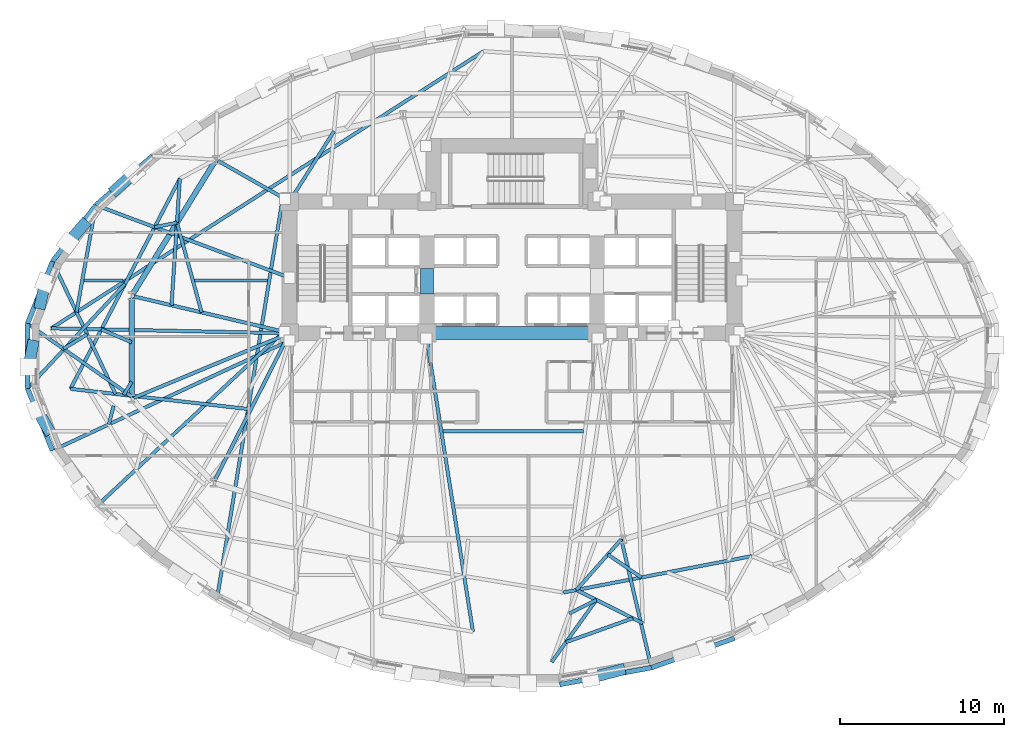
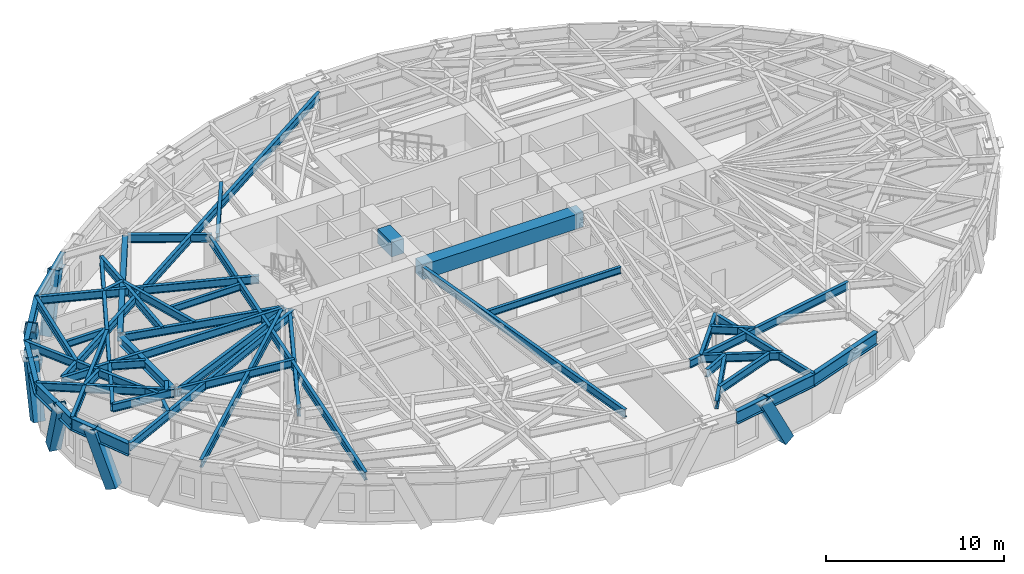
# One storey, part 2 of 14: 47 beams, 6 members.
"""IFC4 building model written with IfcOpenShell, lengths in metres."""

from ifc_helpers import new_model, si_unit, direction, frame, origin, origin_2d, place, context, subcontext, project, spatial, rectangle, hollow_rectangle, i_section, extrude, material, material_profile, profile_set, type_object, element, save


model = new_model("IFC4")

# Units and contexts
model_context = context("Model", 3, precision=1e-05, world=origin(), true_north=direction((0.0, 1.0)))
body_context = subcontext(model_context, "Body", "Model", "MODEL_VIEW")
ifc_project = project(units=[si_unit("LENGTHUNIT", "METRE"), si_unit("AREAUNIT", "SQUARE_METRE"), si_unit("VOLUMEUNIT", "CUBIC_METRE"), si_unit("PLANEANGLEUNIT", "RADIAN"), si_unit("MASSUNIT", "GRAM", prefix="KILO")], contexts=[model_context])

# Site, building, storey
site_placement = place(None, origin())
site = spatial("IfcSite", under=ifc_project, at=site_placement, CompositionType="ELEMENT")
building_placement = place(site_placement, origin())
building = spatial("IfcBuilding", under=site, at=building_placement, Name="Keldmark Tower", CompositionType="ELEMENT")
storey_placement = place(building_placement, frame((0.0, 0.0, 63.0)))
storey = spatial("IfcBuildingStorey", under=building, at=storey_placement, Name="L16", CompositionType="ELEMENT", Elevation=63.0)

# Beams
ifc_material_1 = material(Name="Steel ASTM A992 Grade 50", Category="steel")
ifc_material_profile_1 = material_profile(ifc_material_1, i_section(OverallWidth=0.19091796875, OverallDepth=0.45703125, WebThickness=0.009033203125, FlangeThickness=0.014404296875, at=origin_2d()), Name="W18X50")
ifc_profile_set_1 = profile_set([ifc_material_profile_1], Name="Steel ASTM A992 Grade 50")
beam_type_1 = type_object("IfcBeamType", Name="Composite Floor Joist W18X50", PredefinedType="JOIST", material=ifc_profile_set_1)
beam_1_placement = place(storey_placement, frame((-4.2255859375, -4.60009765625, 3.17138671875), z_axis=(1.0, 0.0, 0.0), x_axis=(0.0, 1.0, 0.0)))
element("IfcBeam", 1, at=beam_1_placement, inside=storey, type_object=beam_type_1, Name="L16 Composite Floor Joist J08", PredefinedType="JOIST", context=body_context, shape_type="SweptSolid", body=[
    extrude(i_section(OverallWidth=0.19091796875, OverallDepth=0.45703125, WebThickness=0.009033203125, FlangeThickness=0.014404296875, at=origin_2d()), origin(), (0.0, 0.0, 1.0), 8.592041015625),
])
beam_2_placement = place(storey_placement, frame((-26.176513671875, 4.6201171875, 3.17138671875), z_axis=(1.0, 0.0, 0.0), x_axis=(0.0, 1.0, 0.0)))
element("IfcBeam", 2, at=beam_2_placement, inside=storey, type_object=beam_type_1, Name="L16 Composite Floor Joist J12", PredefinedType="JOIST", context=body_context, shape_type="SweptSolid", body=[
    extrude(i_section(OverallWidth=0.19091796875, OverallDepth=0.45703125, WebThickness=0.009033203125, FlangeThickness=0.014404296875, at=origin_2d()), origin(), (0.0, 0.0, 1.0), 2.391845703125),
])
beam_3_placement = place(storey_placement, frame((-19.4130859375, 4.6201171875, 3.17138671875), z_axis=(1.0, 0.0, 0.0), x_axis=(0.0, 1.0, 0.0)))
element("IfcBeam", 3, at=beam_3_placement, inside=storey, type_object=beam_type_1, Name="L16 Composite Floor Joist J13", PredefinedType="JOIST", context=body_context, shape_type="SweptSolid", body=[
    extrude(i_section(OverallWidth=0.19091796875, OverallDepth=0.45703125, WebThickness=0.009033203125, FlangeThickness=0.014404296875, at=origin_2d()), origin(), (0.0, 0.0, 1.0), 4.472900390625),
])
ifc_material_2 = material(Name="Concrete C70/85", Category="concrete")
ifc_material_profile_2 = material_profile(ifc_material_2, rectangle(XDim=0.800048828125, YDim=1.0, at=origin_2d()), Name="RCB800X1000")
ifc_profile_set_2 = profile_set([ifc_material_profile_2], Name="Concrete C70/85")
beam_type_2 = type_object("IfcBeamType", Name="Core Coupling Beam RCB800X1000", PredefinedType="USERDEFINED", material=ifc_profile_set_2)
beam_4_placement = place(storey_placement, frame((-5.199951171875, 3.800048828125, 2.89990234375), z_axis=(0.0, 1.0, 0.0), x_axis=(-1.0, 0.0, 0.0)))
element("IfcBeam", 4, at=beam_4_placement, inside=storey, type_object=beam_type_2, Name="L16 West Core Coupling Beam", ObjectType="COUPLING BEAM", PredefinedType="USERDEFINED", context=body_context, shape_type="SweptSolid", body=[
    extrude(rectangle(XDim=0.800048828125, YDim=1.0, at=origin_2d()), origin(), (0.0, 0.0, 1.0), 1.550048828125),
])
beam_5_placement = place(storey_placement, frame((-5.199951171875, 1.39990234375, 2.89990234375), z_axis=(1.0, 0.0, 0.0), x_axis=(0.0, 1.0, 0.0)))
element("IfcBeam", 5, at=beam_5_placement, inside=storey, type_object=beam_type_2, Name="L16 Central South Core Coupling Beam", ObjectType="COUPLING BEAM", PredefinedType="USERDEFINED", context=body_context, shape_type="SweptSolid", body=[
    extrude(rectangle(XDim=0.800048828125, YDim=1.0, at=origin_2d()), origin(), (0.0, 0.0, 1.0), 10.39990234375),
])

# Members
ifc_material_3 = material(Name="Steel ASTM A572 Grade 50", Category="steel")
ifc_material_profile_3 = material_profile(ifc_material_3, hollow_rectangle(XDim=0.699951171875, YDim=0.699951171875, WallThickness=0.054931640625, at=origin_2d()), Name="BOX700X700X55")
ifc_profile_set_3 = profile_set([ifc_material_profile_3], Name="Steel ASTM A572 Grade 50")
member_type = type_object("IfcMemberType", Name="Diagrid Zone 1 Brace BOX700X700X55", PredefinedType="BRACE", material=ifc_profile_set_3)
member_1_placement = place(storey_placement, frame((-24.220947265625, 10.180419921875, -0.280029296875), z_axis=(0.290671768212, 0.262084206119, 0.920229206267), x_axis=(-0.66964149585, 0.742684500334, 0.0)))
element("IfcMember", 6, at=member_1_placement, inside=storey, type_object=member_type, Name="L16 Perimeter Diagrid Brace 07A", PredefinedType="BRACE", context=body_context, shape_type="SweptSolid", body=[
    extrude(hollow_rectangle(XDim=0.699951171875, YDim=0.699951171875, WallThickness=0.054931640625, at=origin_2d()), origin(), (0.0, 0.0, 1.0), 3.86865234375),
])
member_2_placement = place(storey_placement, frame((-26.187255859375, 8.02197265625, -0.280029296875), z_axis=(-0.252370658854, -0.291162838863, 0.922785593632), x_axis=(0.755651148776, -0.654974305873, 0.0)))
element("IfcMember", 7, at=member_2_placement, inside=storey, type_object=member_type, Name="L16 Perimeter Diagrid Brace 07B", PredefinedType="BRACE", context=body_context, shape_type="SweptSolid", body=[
    extrude(hollow_rectangle(XDim=0.699951171875, YDim=0.699951171875, WallThickness=0.054931640625, at=origin_2d()), origin(), (0.0, 0.0, 1.0), 3.85791015625),
])
member_3_placement = place(storey_placement, frame((-28.828125, 3.204833984375, -0.280029296875), z_axis=(0.073622103761, 0.339819055353, 0.937604818384), x_axis=(-0.977326329116, 0.211738627595, 0.0)))
element("IfcMember", 8, at=member_3_placement, inside=storey, type_object=member_type, Name="L16 Perimeter Diagrid Brace 08A", PredefinedType="BRACE", context=body_context, shape_type="SweptSolid", body=[
    extrude(hollow_rectangle(XDim=0.699951171875, YDim=0.699951171875, WallThickness=0.054931640625, at=origin_2d()), origin(), (0.0, 0.0, 1.0), 3.796875),
])
member_4_placement = place(storey_placement, frame((-29.301513671875, 0.647705078125, -0.280029296875), z_axis=(-0.068299252719, -0.34521934316, 0.936033555588), x_axis=(0.980985473206, -0.194081172088, 0.0)))
element("IfcMember", 9, at=member_4_placement, inside=storey, type_object=member_type, Name="L16 Perimeter Diagrid Brace 08B", PredefinedType="BRACE", context=body_context, shape_type="SweptSolid", body=[
    extrude(hollow_rectangle(XDim=0.699951171875, YDim=0.699951171875, WallThickness=0.054931640625, at=origin_2d()), origin(), (0.0, 0.0, 1.0), 3.803466796875),
])
member_5_placement = place(storey_placement, frame((-28.35009765625, -4.477783203125, -0.280029296875), z_axis=(-0.183501440883, 0.322942161055, 0.928458713033), x_axis=(-0.869443170101, -0.4940329685, 0.0)))
element("IfcMember", 10, at=member_5_placement, inside=storey, type_object=member_type, Name="L16 Perimeter Diagrid Brace 09A", PredefinedType="BRACE", context=body_context, shape_type="SweptSolid", body=[
    extrude(hollow_rectangle(XDim=0.699951171875, YDim=0.699951171875, WallThickness=0.054931640625, at=origin_2d()), origin(), (0.0, 0.0, 1.0), 3.83447265625),
])
member_6_placement = place(storey_placement, frame((6.607177734375, -19.20263671875, -0.280029296875), z_axis=(-0.453333942407, -0.118679833379, 0.883404456526), x_axis=(0.253258573014, -0.967398622696, 0.0)))
element("IfcMember", 11, at=member_6_placement, inside=storey, type_object=member_type, Name="L16 Perimeter Diagrid Brace 13A", PredefinedType="BRACE", context=body_context, shape_type="SweptSolid", body=[
    extrude(hollow_rectangle(XDim=0.699951171875, YDim=0.699951171875, WallThickness=0.054931640625, at=origin_2d()), origin(), (0.0, 0.0, 1.0), 4.030029296875),
])

# Beams
ifc_material_4 = material(Name="Steel ASTM A992 Grade 50", Category="steel")
ifc_material_profile_4 = material_profile(ifc_material_4, i_section(OverallWidth=0.323974609375, OverallDepth=0.611083984375, WebThickness=0.0126953125, FlangeThickness=0.01904296875, at=origin_2d()), Name="W24X104")
ifc_profile_set_4 = profile_set([ifc_material_profile_4], Name="Steel ASTM A992 Grade 50")
beam_type_3 = type_object("IfcBeamType", Name="Primary Floor Girder W24X104", PredefinedType="BEAM", material=ifc_profile_set_4)
beam_6_placement = place(storey_placement, frame((-18.17138671875, 11.888427734375, 3.094482421875), z_axis=(-0.526318405849, -0.850287560573, 0.0), x_axis=(0.850287560573, -0.526318405849, 0.0)))
element("IfcBeam", 12, at=beam_6_placement, inside=storey, type_object=beam_type_3, Name="L16 Floor Ring Girder FG-R05", PredefinedType="BEAM", context=body_context, shape_type="SweptSolid", body=[
    extrude(i_section(OverallWidth=0.323974609375, OverallDepth=0.611083984375, WebThickness=0.0126953125, FlangeThickness=0.01904296875, at=origin_2d()), origin(), (0.0, 0.0, 1.0), 9.51708984375),
])
beam_7_placement = place(storey_placement, frame((-23.25390625, 3.537109375, 3.094482421875), z_axis=(0.0, -1.0, 0.0), x_axis=(1.0, 0.0, 0.0)))
element("IfcBeam", 13, at=beam_7_placement, inside=storey, type_object=beam_type_3, Name="L16 Floor Ring Girder FG-R06", PredefinedType="BEAM", context=body_context, shape_type="SweptSolid", body=[
    extrude(i_section(OverallWidth=0.323974609375, OverallDepth=0.611083984375, WebThickness=0.0126953125, FlangeThickness=0.01904296875, at=origin_2d()), origin(), (0.0, 0.0, 1.0), 6.01025390625),
])
ifc_material_5 = material(Name="Steel ASTM A992 Grade 50", Category="steel")
ifc_material_profile_5 = material_profile(ifc_material_5, i_section(OverallWidth=0.2099609375, OverallDepth=0.537109375, WebThickness=0.010986328125, FlangeThickness=0.017333984375, at=origin_2d()), Name="W21X68")
ifc_profile_set_5 = profile_set([ifc_material_profile_5], Name="Steel ASTM A992 Grade 50")
beam_type_4 = type_object("IfcBeamType", Name="Radial Tie Girder W21X68", PredefinedType="BEAM", material=ifc_profile_set_5)
beam_8_placement = place(storey_placement, frame((-13.60009765625, 9.449951171875, 3.131591796875), z_axis=(0.534975531719, 0.844867552023, 0.0), x_axis=(-0.844867552023, 0.534975531719, 0.0)))
element("IfcBeam", 14, at=beam_8_placement, inside=storey, type_object=beam_type_4, Name="L16 Framing Pin Header PH-003", PredefinedType="BEAM", context=body_context, shape_type="SweptSolid", body=[
    extrude(i_section(OverallWidth=0.2099609375, OverallDepth=0.537109375, WebThickness=0.010986328125, FlangeThickness=0.017333984375, at=origin_2d()), origin(), (0.0, 0.0, 1.0), 5.083740234375),
])
beam_9_placement = place(storey_placement, frame((-18.974853515625, 2.66796875, 3.131591796875), z_axis=(-0.26563044238, 0.964074928665, 0.0), x_axis=(-0.964074928665, -0.26563044238, 0.0)))
element("IfcBeam", 15, at=beam_9_placement, inside=storey, type_object=beam_type_4, Name="L16 Framing Pin Header PH-004", PredefinedType="BEAM", context=body_context, shape_type="SweptSolid", body=[
    extrude(i_section(OverallWidth=0.2099609375, OverallDepth=0.537109375, WebThickness=0.010986328125, FlangeThickness=0.017333984375, at=origin_2d()), origin(), (0.0, 0.0, 1.0), 5.6865234375),
])
beam_10_placement = place(storey_placement, frame((-20.816162109375, 3.102294921875, 3.131591796875), z_axis=(0.065409607272, 0.997858498624, 0.0), x_axis=(-0.997858498624, 0.065409607272, 0.0)))
element("IfcBeam", 16, at=beam_10_placement, inside=storey, type_object=beam_type_4, Name="L16 Sub-Ring Step Girder STP1-M06", PredefinedType="BEAM", context=body_context, shape_type="SweptSolid", body=[
    extrude(i_section(OverallWidth=0.2099609375, OverallDepth=0.537109375, WebThickness=0.010986328125, FlangeThickness=0.017333984375, at=origin_2d()), origin(), (0.0, 0.0, 1.0), 7.756103515625),
])
beam_11_placement = place(storey_placement, frame((-23.25390625, -1.571533203125, 3.131591796875), z_axis=(-0.517202773084, -0.855862892941, 0.0), x_axis=(0.855862892941, -0.517202773084, 0.0)))
element("IfcBeam", 17, at=beam_11_placement, inside=storey, type_object=beam_type_4, Name="L16 Framing Pin Header PH-005", PredefinedType="BEAM", context=body_context, shape_type="SweptSolid", body=[
    extrude(i_section(OverallWidth=0.2099609375, OverallDepth=0.537109375, WebThickness=0.010986328125, FlangeThickness=0.017333984375, at=origin_2d()), origin(), (0.0, 0.0, 1.0), 0.940673828125),
])
beam_12_placement = place(storey_placement, frame((-15.96728515625, -3.258056640625, 3.131591796875), z_axis=(-0.99363203198, 0.112673799191, 0.0), x_axis=(-0.112673799191, -0.99363203198, 0.0)))
element("IfcBeam", 18, at=beam_12_placement, inside=storey, type_object=beam_type_4, Name="L16 Sub-Ring Step Girder STP1-M07", PredefinedType="BEAM", context=body_context, shape_type="SweptSolid", body=[
    extrude(i_section(OverallWidth=0.2099609375, OverallDepth=0.537109375, WebThickness=0.010986328125, FlangeThickness=0.017333984375, at=origin_2d()), origin(), (0.0, 0.0, 1.0), 11.1005859375),
])
beam_13_placement = place(storey_placement, frame((-20.308837890625, 10.841796875, 3.131591796875), z_axis=(-0.46171620585, -0.887027702643, 0.0), x_axis=(0.887027702643, -0.46171620585, 0.0)))
element("IfcBeam", 19, at=beam_13_placement, inside=storey, type_object=beam_type_4, Name="L16 Perimeter Collector Ring Beam CRG1-M06", PredefinedType="BEAM", context=body_context, shape_type="SweptSolid", body=[
    extrude(i_section(OverallWidth=0.2099609375, OverallDepth=0.537109375, WebThickness=0.010986328125, FlangeThickness=0.017333984375, at=origin_2d()), origin(), (0.0, 0.0, 1.0), 14.485595703125),
])
beam_14_placement = place(storey_placement, frame((-23.25390625, 0.83251953125, 3.131591796875), z_axis=(-0.918749652324, 0.394840570805, 0.0), x_axis=(-0.394840570805, -0.918749652324, 0.0)))
element("IfcBeam", 20, at=beam_14_placement, inside=storey, type_object=beam_type_4, Name="L16 Framing Pin Header PH-010", PredefinedType="BEAM", context=body_context, shape_type="SweptSolid", body=[
    extrude(i_section(OverallWidth=0.2099609375, OverallDepth=0.537109375, WebThickness=0.010986328125, FlangeThickness=0.017333984375, at=origin_2d()), origin(), (0.0, 0.0, 1.0), 2.014404296875),
])
beam_15_placement = place(storey_placement, frame((-14.050048828125, 1.39990234375, 3.131591796875), z_axis=(-0.999787347353, 0.020621834841, 0.0), x_axis=(-0.020621834841, -0.999787347353, 0.0)))
element("IfcBeam", 21, at=beam_15_placement, inside=storey, type_object=beam_type_4, Name="L16 Sub-Ring Step Girder STP2-M07", PredefinedType="BEAM", context=body_context, shape_type="SweptSolid", body=[
    extrude(i_section(OverallWidth=0.2099609375, OverallDepth=0.537109375, WebThickness=0.010986328125, FlangeThickness=0.017333984375, at=origin_2d()), origin(), (0.0, 0.0, 1.0), 14.123779296875),
])
beam_16_placement = place(storey_placement, frame((-1.742431640625, 18.634521484375, 3.131591796875), z_axis=(-0.841849693746, -0.539712046503, 0.0), x_axis=(0.539712046503, -0.841849693746, 0.0)))
element("IfcBeam", 22, at=beam_16_placement, inside=storey, type_object=beam_type_4, Name="L16 Perimeter Collector Ring Beam CRG2-M04", PredefinedType="BEAM", context=body_context, shape_type="SweptSolid", body=[
    extrude(i_section(OverallWidth=0.2099609375, OverallDepth=0.537109375, WebThickness=0.010986328125, FlangeThickness=0.017333984375, at=origin_2d()), origin(), (0.0, 0.0, 1.0), 31.393310546875),
])
beam_17_placement = place(storey_placement, frame((3.1552734375, -14.455810546875, 3.131591796875), z_axis=(0.981863989853, 0.189586669968, 0.0), x_axis=(-0.189586669968, 0.981863989853, 0.0)))
element("IfcBeam", 23, at=beam_17_placement, inside=storey, type_object=beam_type_4, Name="L16 Perimeter Collector Ring Beam CRG2-M10", PredefinedType="BEAM", context=body_context, shape_type="SweptSolid", body=[
    extrude(i_section(OverallWidth=0.2099609375, OverallDepth=0.537109375, WebThickness=0.010986328125, FlangeThickness=0.017333984375, at=origin_2d()), origin(), (0.0, 0.0, 1.0), 11.72119140625),
])
beam_18_placement = place(storey_placement, frame((-20.4853515625, 8.150146484375, 3.131591796875), z_axis=(-0.980540240776, -0.196318201448, 0.0), x_axis=(0.196318201448, -0.980540240776, 0.0)))
element("IfcBeam", 24, at=beam_18_placement, inside=storey, type_object=beam_type_4, Name="L16 Framing Pin Header PH-024", PredefinedType="BEAM", context=body_context, shape_type="SweptSolid", body=[
    extrude(i_section(OverallWidth=0.2099609375, OverallDepth=0.537109375, WebThickness=0.010986328125, FlangeThickness=0.017333984375, at=origin_2d()), origin(), (0.0, 0.0, 1.0), 1.39404296875),
])
beam_19_placement = place(storey_placement, frame((-13.60009765625, 4.78564453125, 3.131591796875), z_axis=(-0.93647347547, 0.350738406425, 0.0), x_axis=(-0.350738406425, -0.93647347547, 0.0)))
element("IfcBeam", 25, at=beam_19_placement, inside=storey, type_object=beam_type_4, Name="L16 Perimeter Radial Tie Girder RT-14", PredefinedType="BEAM", context=body_context, shape_type="SweptSolid", body=[
    extrude(i_section(OverallWidth=0.2099609375, OverallDepth=0.537109375, WebThickness=0.010986328125, FlangeThickness=0.017333984375, at=origin_2d()), origin(), (0.0, 0.0, 1.0), 12.647705078125),
])
beam_20_placement = place(storey_placement, frame((-25.4443359375, 9.2216796875, 3.131591796875), z_axis=(-0.177488281787, -0.984122913984, 0.0), x_axis=(0.984122913984, -0.177488281787, 0.0)))
element("IfcBeam", 26, at=beam_20_placement, inside=storey, type_object=beam_type_4, Name="L16 Framing Pin Header PH-025", PredefinedType="BEAM", context=body_context, shape_type="SweptSolid", body=[
    extrude(i_section(OverallWidth=0.2099609375, OverallDepth=0.537109375, WebThickness=0.010986328125, FlangeThickness=0.017333984375, at=origin_2d()), origin(), (0.0, 0.0, 1.0), 6.643798828125),
])
beam_21_placement = place(storey_placement, frame((-24.239501953125, -2.320068359375, 3.131591796875), z_axis=(-0.430131091897, 0.902766439221, 0.0), x_axis=(-0.902766439221, -0.430131091897, 0.0)))
element("IfcBeam", 27, at=beam_21_placement, inside=storey, type_object=beam_type_4, Name="L16 Perimeter Radial Tie Girder RT-15", PredefinedType="BEAM", context=body_context, shape_type="SweptSolid", body=[
    extrude(i_section(OverallWidth=0.2099609375, OverallDepth=0.537109375, WebThickness=0.010986328125, FlangeThickness=0.017333984375, at=origin_2d()), origin(), (0.0, 0.0, 1.0), 8.971923828125),
])
beam_22_placement = place(storey_placement, frame((-25.976318359375, 1.32470703125, 3.131591796875), z_axis=(-0.852375309778, -0.522930522423, 0.0), x_axis=(0.522930522423, -0.852375309778, 0.0)))
element("IfcBeam", 28, at=beam_22_placement, inside=storey, type_object=beam_type_4, Name="L16 Framing Pin Header PH-026", PredefinedType="BEAM", context=body_context, shape_type="SweptSolid", body=[
    extrude(i_section(OverallWidth=0.2099609375, OverallDepth=0.537109375, WebThickness=0.010986328125, FlangeThickness=0.017333984375, at=origin_2d()), origin(), (0.0, 0.0, 1.0), 1.693359375),
])
beam_23_placement = place(storey_placement, frame((-23.25390625, -2.47314453125, 3.131591796875), z_axis=(-0.819561021261, 0.572991913058, 0.0), x_axis=(-0.572991913058, -0.819561021261, 0.0)))
element("IfcBeam", 29, at=beam_23_placement, inside=storey, type_object=beam_type_4, Name="L16 Perimeter Radial Tie Girder RT-16", PredefinedType="BEAM", context=body_context, shape_type="SweptSolid", body=[
    extrude(i_section(OverallWidth=0.2099609375, OverallDepth=0.537109375, WebThickness=0.010986328125, FlangeThickness=0.017333984375, at=origin_2d()), origin(), (0.0, 0.0, 1.0), 7.768798828125),
])
beam_24_placement = place(storey_placement, frame((-23.653076171875, 4.417236328125, 3.131591796875), z_axis=(-0.682234714462, -0.731133226152, 0.0), x_axis=(0.731133226152, -0.682234714462, 0.0)))
element("IfcBeam", 30, at=beam_24_placement, inside=storey, type_object=beam_type_4, Name="L16 Perimeter Radial Tie Girder RT-17", PredefinedType="BEAM", context=body_context, shape_type="SweptSolid", body=[
    extrude(i_section(OverallWidth=0.2099609375, OverallDepth=0.537109375, WebThickness=0.010986328125, FlangeThickness=0.017333984375, at=origin_2d()), origin(), (0.0, 0.0, 1.0), 8.747314453125),
])
beam_25_placement = place(storey_placement, frame((-24.356689453125, -3.047607421875, 3.131591796875), z_axis=(-0.250055066641, -0.968231616736, 0.0), x_axis=(0.968231616736, -0.250055066641, 0.0)))
element("IfcBeam", 31, at=beam_25_placement, inside=storey, type_object=beam_type_4, Name="L16 Framing Pin Header PH-027", PredefinedType="BEAM", context=body_context, shape_type="SweptSolid", body=[
    extrude(i_section(OverallWidth=0.2099609375, OverallDepth=0.537109375, WebThickness=0.010986328125, FlangeThickness=0.017333984375, at=origin_2d()), origin(), (0.0, 0.0, 1.0), 1.167724609375),
])
beam_26_placement = place(storey_placement, frame((-13.60009765625, 0.949951171875, 3.131591796875), z_axis=(-0.907056049937, -0.421009883819, 0.0), x_axis=(0.421009883819, -0.907056049937, 0.0)))
element("IfcBeam", 32, at=beam_26_placement, inside=storey, type_object=beam_type_4, Name="L16 Perimeter Radial Tie Girder RT-18", PredefinedType="BEAM", context=body_context, shape_type="SweptSolid", body=[
    extrude(i_section(OverallWidth=0.2099609375, OverallDepth=0.537109375, WebThickness=0.010986328125, FlangeThickness=0.017333984375, at=origin_2d()), origin(), (0.0, 0.0, 1.0), 15.984130859375),
])
beam_27_placement = place(storey_placement, frame((-14.050048828125, 1.39990234375, 3.131591796875), z_axis=(-0.731474168829, -0.681869151916, 0.0), x_axis=(0.681869151916, -0.731474168829, 0.0)))
element("IfcBeam", 33, at=beam_27_placement, inside=storey, type_object=beam_type_4, Name="L16 Perimeter Radial Tie Girder RT-19", PredefinedType="BEAM", context=body_context, shape_type="SweptSolid", body=[
    extrude(i_section(OverallWidth=0.2099609375, OverallDepth=0.537109375, WebThickness=0.010986328125, FlangeThickness=0.017333984375, at=origin_2d()), origin(), (0.0, 0.0, 1.0), 15.5771484375),
])
beam_28_placement = place(storey_placement, frame((-14.050048828125, 9.449951171875, 3.131591796875), z_axis=(-0.161956107975, -0.98679796265, 0.0), x_axis=(0.98679796265, -0.161956107975, 0.0)))
element("IfcBeam", 34, at=beam_28_placement, inside=storey, type_object=beam_type_4, Name="L16 Perimeter Radial Tie Girder RT-21", PredefinedType="BEAM", context=body_context, shape_type="SweptSolid", body=[
    extrude(i_section(OverallWidth=0.2099609375, OverallDepth=0.537109375, WebThickness=0.010986328125, FlangeThickness=0.017333984375, at=origin_2d()), origin(), (0.0, 0.0, 1.0), 24.6875),
])
beam_29_placement = place(storey_placement, frame((-5.199951171875, 0.949951171875, 3.131591796875), z_axis=(0.156083570724, -0.987743852904, 0.0), x_axis=(0.987743852904, 0.156083570724, 0.0)))
element("IfcBeam", 35, at=beam_29_placement, inside=storey, type_object=beam_type_4, Name="L16 Intermediate Radial Step Girder RT-24M", PredefinedType="BEAM", context=body_context, shape_type="SweptSolid", body=[
    extrude(i_section(OverallWidth=0.2099609375, OverallDepth=0.537109375, WebThickness=0.010986328125, FlangeThickness=0.017333984375, at=origin_2d()), origin(), (0.0, 0.0, 1.0), 18.028564453125),
])
beam_30_placement = place(storey_placement, frame((6.68212890625, -11.205810546875, 3.131591796875), z_axis=(-0.662515294374, -0.749048386101, 0.0), x_axis=(0.749048386101, -0.662515294374, 0.0)))
element("IfcBeam", 36, at=beam_30_placement, inside=storey, type_object=beam_type_4, Name="L16 Framing Pin Header PH-034", PredefinedType="BEAM", context=body_context, shape_type="SweptSolid", body=[
    extrude(i_section(OverallWidth=0.2099609375, OverallDepth=0.537109375, WebThickness=0.010986328125, FlangeThickness=0.017333984375, at=origin_2d()), origin(), (0.0, 0.0, 1.0), 4.135986328125),
])
beam_31_placement = place(storey_placement, frame((5.860107421875, -12.13525390625, 3.131591796875), z_axis=(0.824650162023, -0.565643094429, 0.0), x_axis=(0.565643094429, 0.824650162023, 0.0)))
element("IfcBeam", 37, at=beam_31_placement, inside=storey, type_object=beam_type_4, Name="L16 Framing Pin Header PH-035", PredefinedType="BEAM", context=body_context, shape_type="SweptSolid", body=[
    extrude(i_section(OverallWidth=0.2099609375, OverallDepth=0.537109375, WebThickness=0.010986328125, FlangeThickness=0.017333984375, at=origin_2d()), origin(), (0.0, 0.0, 1.0), 2.48095703125),
])
beam_32_placement = place(storey_placement, frame((3.94189453125, -14.303955078125, 3.131591796875), z_axis=(0.894028749348, -0.44800959291, 0.0), x_axis=(0.44800959291, 0.894028749348, 0.0)))
element("IfcBeam", 38, at=beam_32_placement, inside=storey, type_object=beam_type_4, Name="L16 Local Collector Chord RT-26C", PredefinedType="BEAM", context=body_context, shape_type="SweptSolid", body=[
    extrude(i_section(OverallWidth=0.2099609375, OverallDepth=0.537109375, WebThickness=0.010986328125, FlangeThickness=0.017333984375, at=origin_2d()), origin(), (0.0, 0.0, 1.0), 4.538330078125),
])
beam_33_placement = place(storey_placement, frame((6.68212890625, -11.205810546875, 3.131591796875), z_axis=(0.228483831887, -0.973547707391, 0.0), x_axis=(0.973547707391, 0.228483831887, 0.0)))
element("IfcBeam", 39, at=beam_33_placement, inside=storey, type_object=beam_type_4, Name="L16 Perimeter Radial Tie Girder RT-26", PredefinedType="BEAM", context=body_context, shape_type="SweptSolid", body=[
    extrude(i_section(OverallWidth=0.2099609375, OverallDepth=0.537109375, WebThickness=0.010986328125, FlangeThickness=0.017333984375, at=origin_2d()), origin(), (0.0, 0.0, 1.0), 8.059814453125),
])
beam_34_placement = place(storey_placement, frame((5.158935546875, -14.913818359375, 3.131591796875), z_axis=(-0.894532684556, -0.447002546146, 0.0), x_axis=(0.447002546146, -0.894532684556, 0.0)))
element("IfcBeam", 40, at=beam_34_placement, inside=storey, type_object=beam_type_4, Name="L16 Framing Pin Header PH-046", PredefinedType="BEAM", context=body_context, shape_type="SweptSolid", body=[
    extrude(i_section(OverallWidth=0.2099609375, OverallDepth=0.537109375, WebThickness=0.010986328125, FlangeThickness=0.017333984375, at=origin_2d()), origin(), (0.0, 0.0, 1.0), 1.85107421875),
])
beam_35_placement = place(storey_placement, frame((2.425048828125, -18.71044921875, 3.131591796875), z_axis=(0.584348715133, 0.811502667354, 0.0), x_axis=(-0.811502667354, 0.584348715133, 0.0)))
element("IfcBeam", 41, at=beam_35_placement, inside=storey, type_object=beam_type_4, Name="L16 Crown Step Collector Chord RT-25RP2", PredefinedType="BEAM", context=body_context, shape_type="SweptSolid", body=[
    extrude(i_section(OverallWidth=0.2099609375, OverallDepth=0.537109375, WebThickness=0.010986328125, FlangeThickness=0.017333984375, at=origin_2d()), origin(), (0.0, 0.0, 1.0), 4.678466796875),
])
beam_36_placement = place(storey_placement, frame((7.390625, -16.031982421875, 3.131591796875), z_axis=(-0.941406029462, -0.337275388508, 0.0), x_axis=(0.337275388508, -0.941406029462, 0.0)))
element("IfcBeam", 42, at=beam_36_placement, inside=storey, type_object=beam_type_4, Name="L16 Framing Pin Header PH-047", PredefinedType="BEAM", context=body_context, shape_type="SweptSolid", body=[
    extrude(i_section(OverallWidth=0.2099609375, OverallDepth=0.537109375, WebThickness=0.010986328125, FlangeThickness=0.017333984375, at=origin_2d()), origin(), (0.0, 0.0, 1.0), 4.347412109375),
])
ifc_material_6 = material(Name="Steel ASTM A992 Grade 50", Category="steel")
ifc_material_profile_6 = material_profile(ifc_material_6, i_section(OverallWidth=0.214111328125, OverallDepth=0.549072265625, WebThickness=0.0146484375, FlangeThickness=0.023681640625, at=origin_2d()), Name="W21X93")
ifc_profile_set_6 = profile_set([ifc_material_profile_6], Name="Steel ASTM A992 Grade 50")
beam_type_5 = type_object("IfcBeamType", Name="Radial Tie Girder W21X93", PredefinedType="BEAM", material=ifc_profile_set_6)
beam_37_placement = place(storey_placement, frame((-17.97607421875, 11.938232421875, 3.12548828125), z_axis=(0.869299282131, -0.494286109542, 0.0), x_axis=(0.494286109542, 0.869299282131, 0.0)))
element("IfcBeam", 43, at=beam_37_placement, inside=storey, type_object=beam_type_5, Name="L16 Floor Radial Girder FG-C05", PredefinedType="BEAM", context=body_context, shape_type="SweptSolid", body=[
    extrude(i_section(OverallWidth=0.214111328125, OverallDepth=0.549072265625, WebThickness=0.0146484375, FlangeThickness=0.023681640625, at=origin_2d()), origin(), (0.0, 0.0, 1.0), 4.714111328125),
])
beam_38_placement = place(storey_placement, frame((-23.11767578125, 3.64501953125, 3.12548828125), z_axis=(0.973287364179, -0.229590301909, 0.0), x_axis=(0.229590301909, 0.973287364179, 0.0)))
element("IfcBeam", 44, at=beam_38_placement, inside=storey, type_object=beam_type_5, Name="L16 Floor Radial Girder FG-C06", PredefinedType="BEAM", context=body_context, shape_type="SweptSolid", body=[
    extrude(i_section(OverallWidth=0.214111328125, OverallDepth=0.549072265625, WebThickness=0.0146484375, FlangeThickness=0.023681640625, at=origin_2d()), origin(), (0.0, 0.0, 1.0), 9.458740234375),
])
beam_39_placement = place(storey_placement, frame((-23.124755859375, -2.5595703125, 3.12548828125), z_axis=(0.923390978102, 0.383860784088, 0.0), x_axis=(-0.383860784088, 0.923390978102, 0.0)))
element("IfcBeam", 45, at=beam_39_placement, inside=storey, type_object=beam_type_5, Name="L16 Floor Radial Girder FG-C07", PredefinedType="BEAM", context=body_context, shape_type="SweptSolid", body=[
    extrude(i_section(OverallWidth=0.214111328125, OverallDepth=0.549072265625, WebThickness=0.0146484375, FlangeThickness=0.023681640625, at=origin_2d()), origin(), (0.0, 0.0, 1.0), 9.994873046875),
])
beam_40_placement = place(storey_placement, frame((-18.189453125, -7.630859375, 3.12548828125), z_axis=(0.453037526986, 0.891491446478, 0.0), x_axis=(-0.891491446478, 0.453037526986, 0.0)))
element("IfcBeam", 46, at=beam_40_placement, inside=storey, type_object=beam_type_5, Name="L16 Floor Radial Girder FG-C08", PredefinedType="BEAM", context=body_context, shape_type="SweptSolid", body=[
    extrude(i_section(OverallWidth=0.214111328125, OverallDepth=0.549072265625, WebThickness=0.0146484375, FlangeThickness=0.023681640625, at=origin_2d()), origin(), (0.0, 0.0, 1.0), 9.81005859375),
])
ifc_material_7 = material(Name="Steel ASTM A992 Grade 50", Category="steel")
ifc_material_profile_7 = material_profile(ifc_material_7, i_section(OverallWidth=0.2919921875, OverallDepth=0.85888671875, WebThickness=0.01708984375, FlangeThickness=0.031005859375, at=origin_2d()), Name="W33X169")
ifc_profile_set_7 = profile_set([ifc_material_profile_7], Name="Steel ASTM A992 Grade 50")
beam_type_6 = type_object("IfcBeamType", Name="Spandrel Ring Beam W33X169", PredefinedType="SPANDREL", material=ifc_profile_set_7)
beam_41_placement = place(storey_placement, frame((-21.991943359375, 12.23779296875, 2.970458984375), z_axis=(-0.753087816079, -0.657920011303, 0.0), x_axis=(0.657920011303, -0.753087816079, 0.0)))
element("IfcBeam", 47, at=beam_41_placement, inside=storey, type_object=beam_type_6, Name="L16 Perimeter Spandrel Ring Beam SRB-13", PredefinedType="SPANDREL", context=body_context, shape_type="SweptSolid", body=[
    extrude(i_section(OverallWidth=0.2919921875, OverallDepth=0.85888671875, WebThickness=0.01708984375, FlangeThickness=0.031005859375, at=origin_2d()), origin(), (0.0, 0.0, 1.0), 4.584228515625),
])
beam_42_placement = place(storey_placement, frame((-25.4443359375, 9.2216796875, 2.970458984375), z_axis=(-0.610649514798, -0.791900985021, 0.0), x_axis=(0.791900985021, -0.610649514798, 0.0)))
element("IfcBeam", 48, at=beam_42_placement, inside=storey, type_object=beam_type_6, Name="L16 Perimeter Spandrel Ring Beam SRB-14", PredefinedType="SPANDREL", context=body_context, shape_type="SweptSolid", body=[
    extrude(i_section(OverallWidth=0.2919921875, OverallDepth=0.85888671875, WebThickness=0.01708984375, FlangeThickness=0.031005859375, at=origin_2d()), origin(), (0.0, 0.0, 1.0), 4.3466796875),
])
beam_43_placement = place(storey_placement, frame((-28.0986328125, 5.779541015625, 2.970458984375), z_axis=(-0.37175044344, -0.928332703185, 0.0), x_axis=(0.928332703185, -0.37175044344, 0.0)))
element("IfcBeam", 49, at=beam_43_placement, inside=storey, type_object=beam_type_6, Name="L16 Perimeter Spandrel Ring Beam SRB-15", PredefinedType="SPANDREL", context=body_context, shape_type="SweptSolid", body=[
    extrude(i_section(OverallWidth=0.2919921875, OverallDepth=0.85888671875, WebThickness=0.01708984375, FlangeThickness=0.031005859375, at=origin_2d()), origin(), (0.0, 0.0, 1.0), 4.0947265625),
])
beam_44_placement = place(storey_placement, frame((-29.620849609375, 1.978271484375, 2.970458984375), z_axis=(0.0, -1.0, 0.0), x_axis=(1.0, 0.0, 0.0)))
element("IfcBeam", 50, at=beam_44_placement, inside=storey, type_object=beam_type_6, Name="L16 Perimeter Spandrel Ring Beam SRB-16", PredefinedType="SPANDREL", context=body_context, shape_type="SweptSolid", body=[
    extrude(i_section(OverallWidth=0.2919921875, OverallDepth=0.85888671875, WebThickness=0.01708984375, FlangeThickness=0.031005859375, at=origin_2d()), origin(), (0.0, 0.0, 1.0), 3.95654296875),
])
beam_45_placement = place(storey_placement, frame((-29.620849609375, -1.978271484375, 2.970458984375), z_axis=(0.37175044344, -0.928332703185, 0.0), x_axis=(0.928332703185, 0.37175044344, 0.0)))
element("IfcBeam", 51, at=beam_45_placement, inside=storey, type_object=beam_type_6, Name="L16 Perimeter Spandrel Ring Beam SRB-17", PredefinedType="SPANDREL", context=body_context, shape_type="SweptSolid", body=[
    extrude(i_section(OverallWidth=0.2919921875, OverallDepth=0.85888671875, WebThickness=0.01708984375, FlangeThickness=0.031005859375, at=origin_2d()), origin(), (0.0, 0.0, 1.0), 4.0947265625),
])
beam_46_placement = place(storey_placement, frame((2.91748046875, -20.08447265625, 2.970458984375), z_axis=(0.98347627312, 0.181037068609, 0.0), x_axis=(-0.181037068609, 0.98347627312, 0.0)))
element("IfcBeam", 52, at=beam_46_placement, inside=storey, type_object=beam_type_6, Name="L16 Perimeter Spandrel Ring Beam SRB-25", PredefinedType="SPANDREL", context=body_context, shape_type="SweptSolid", body=[
    extrude(i_section(OverallWidth=0.2919921875, OverallDepth=0.85888671875, WebThickness=0.01708984375, FlangeThickness=0.031005859375, at=origin_2d()), origin(), (0.0, 0.0, 1.0), 5.700439453125),
])
beam_47_placement = place(storey_placement, frame((8.523681640625, -19.052490234375, 2.970458984375), z_axis=(0.942515730584, 0.334161783575, 0.0), x_axis=(-0.334161783575, 0.942515730584, 0.0)))
element("IfcBeam", 53, at=beam_47_placement, inside=storey, type_object=beam_type_6, Name="L16 Perimeter Spandrel Ring Beam SRB-26", PredefinedType="SPANDREL", context=body_context, shape_type="SweptSolid", body=[
    extrude(i_section(OverallWidth=0.2919921875, OverallDepth=0.85888671875, WebThickness=0.01708984375, FlangeThickness=0.031005859375, at=origin_2d()), origin(), (0.0, 0.0, 1.0), 5.385986328125),
])

save(model, "model.ifc")
